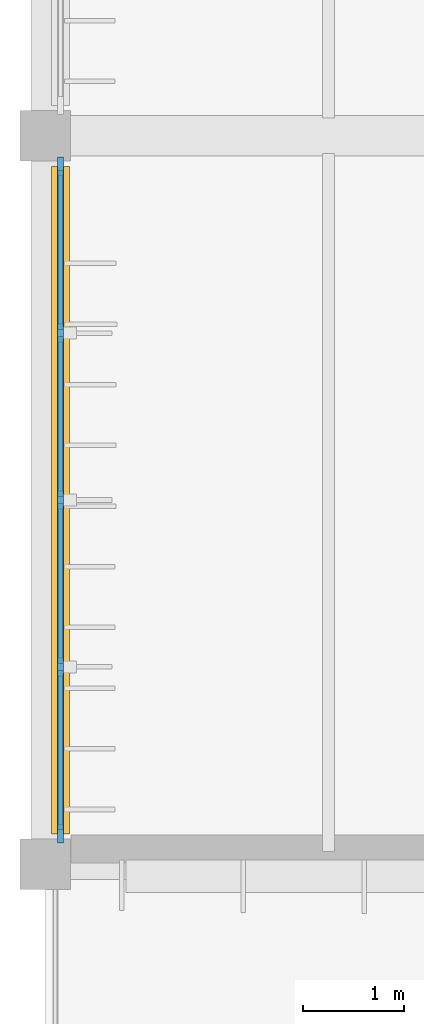
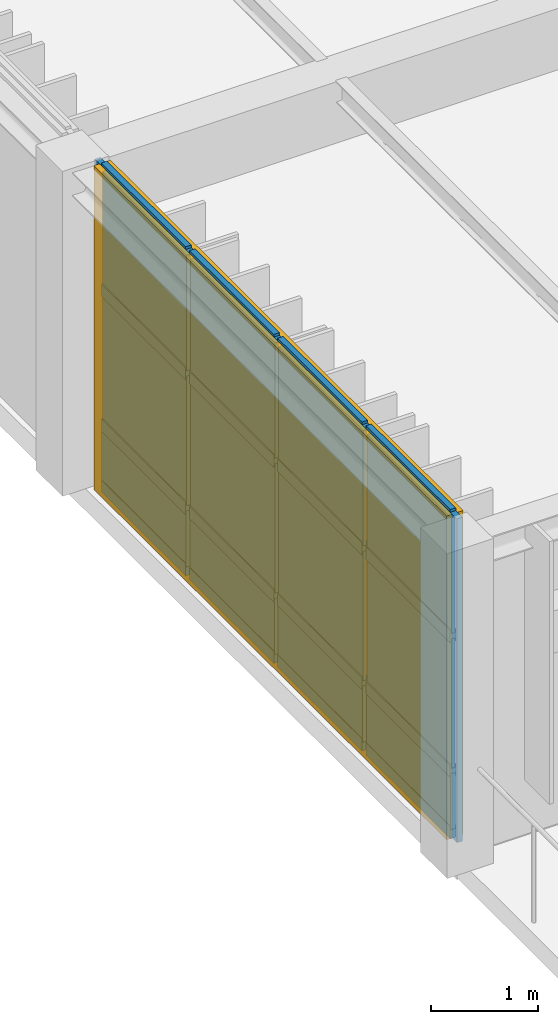
# One storey, part 29 of 44: 21 members, 12 plates, 1 curtain wall.
"""IFC4 building model written with IfcOpenShell, lengths in metres."""

from ifc_helpers import new_model, si_unit, direction, frame, frame_2d, origin, origin_2d, place, context, subcontext, project, spatial, rectangle, extrude, material, layer, layer_set, material_profile, profile_set, type_object, element, aggregate, save


model = new_model("IFC4")

# Units and contexts
model_context = context("Model", 3, precision=1e-05, world=origin(), true_north=direction((0.0, 1.0)))
body_context = subcontext(model_context, "Body", "Model", "MODEL_VIEW")
ifc_project = project(units=[si_unit("LENGTHUNIT", "METRE"), si_unit("AREAUNIT", "SQUARE_METRE"), si_unit("VOLUMEUNIT", "CUBIC_METRE"), si_unit("PLANEANGLEUNIT", "RADIAN"), si_unit("MASSUNIT", "GRAM", prefix="KILO")], contexts=[model_context])

# Member
ifc_material_1 = material(Name="Anodised Bronze Aluminium 6063-T6", Category="aluminium")
ifc_material_profile_1 = material_profile(ifc_material_1, rectangle(XDim=0.06005859375, YDim=0.179931640625, at=origin_2d()), Name="ALU MULLION 60x180")
ifc_profile_set_1 = profile_set([ifc_material_profile_1], Name="Anodised Bronze Aluminium 6063-T6")
member_type_1 = type_object("IfcMemberType", Name="Curtain-Wall Primary Mullion 60x180", PredefinedType="MULLION", material=ifc_profile_set_1)
site_placement = place(None, origin())
building_placement = place(site_placement, origin())
storey_placement = place(building_placement, frame((0.0, 0.0, 13.199951171875)))
member_1_placement = place(storey_placement, frame((2.550048828125, 52.10009765625, 0.0), z_axis=(0.0, 0.0, 1.0), x_axis=(1.0, 0.0, 0.0)))
member_1 = element("IfcMember", 1, at=member_1_placement, type_object=member_type_1, Name="Mullion CWM-01 CW-V6-W1-L03-B1-M01", PredefinedType="MULLION", context=body_context, shape_type="SweptSolid", body=[
    extrude(rectangle(XDim=0.06005859375, YDim=0.179931640625, at=origin_2d()), origin(), (0.0, 0.0, 1.0), 3.699951171875),
])

member_2_placement = place(storey_placement, frame((2.550048828125, 53.75, 0.0), z_axis=(0.0, 0.0, 1.0), x_axis=(1.0, 0.0, 0.0)))
member_2 = element("IfcMember", 2, at=member_2_placement, type_object=member_type_1, Name="Mullion CWM-01 CW-V6-W1-L03-B1-M02", PredefinedType="MULLION", context=body_context, shape_type="SweptSolid", body=[
    extrude(rectangle(XDim=0.06005859375, YDim=0.179931640625, at=origin_2d()), origin(), (0.0, 0.0, 1.0), 3.699951171875),
])

member_3_placement = place(storey_placement, frame((2.550048828125, 55.39990234375, 0.0), z_axis=(0.0, 0.0, 1.0), x_axis=(1.0, 0.0, 0.0)))
member_3 = element("IfcMember", 3, at=member_3_placement, type_object=member_type_1, Name="Mullion CWM-01 CW-V6-W1-L03-B1-M03", PredefinedType="MULLION", context=body_context, shape_type="SweptSolid", body=[
    extrude(rectangle(XDim=0.06005859375, YDim=0.179931640625, at=origin_2d()), origin(), (0.0, 0.0, 1.0), 3.699951171875),
])

member_4_placement = place(storey_placement, frame((2.550048828125, 57.050048828125, 0.0), z_axis=(0.0, 0.0, 1.0), x_axis=(1.0, 0.0, 0.0)))
member_4 = element("IfcMember", 4, at=member_4_placement, type_object=member_type_1, Name="Mullion CWM-01 CW-V6-W1-L03-B1-M04", PredefinedType="MULLION", context=body_context, shape_type="SweptSolid", body=[
    extrude(rectangle(XDim=0.06005859375, YDim=0.179931640625, at=origin_2d()), origin(), (0.0, 0.0, 1.0), 3.699951171875),
])

member_5_placement = place(storey_placement, frame((2.550048828125, 58.699951171875, 0.0), z_axis=(0.0, 0.0, 1.0), x_axis=(1.0, 0.0, 0.0)))
member_5 = element("IfcMember", 5, at=member_5_placement, type_object=member_type_1, Name="Mullion CWM-01 CW-V6-W1-L03-B1-M05", PredefinedType="MULLION", context=body_context, shape_type="SweptSolid", body=[
    extrude(rectangle(XDim=0.06005859375, YDim=0.179931640625, at=origin_2d()), origin(), (0.0, 0.0, 1.0), 3.699951171875),
])

ifc_material_profile_2 = material_profile(ifc_material_1, rectangle(XDim=0.06005859375, YDim=0.139892578125, at=origin_2d()), Name="ALU TRANSOM 60x140")
ifc_profile_set_2 = profile_set([ifc_material_profile_2], Name="Anodised Bronze Aluminium 6063-T6")
member_type_2 = type_object("IfcMemberType", Name="Curtain-Wall Transom 60x140", PredefinedType="USERDEFINED", material=ifc_profile_set_2)
member_6_placement = place(storey_placement, frame((2.550048828125, 52.135009765625, 0.0400390625), z_axis=(0.0, 1.0, 0.0), x_axis=(-1.0, 0.0, 0.0)))
member_6 = element("IfcMember", 6, at=member_6_placement, type_object=member_type_2, Name="Transom CWT-01 CW-V6-W1-L03-B1-T01.1", ObjectType="TRANSOM", PredefinedType="USERDEFINED", context=body_context, shape_type="SweptSolid", body=[
    extrude(rectangle(XDim=0.06005859375, YDim=0.139892578125, at=origin_2d()), origin(), (0.0, 0.0, 1.0), 1.580078125),
])

member_7_placement = place(storey_placement, frame((2.550048828125, 52.135009765625, 0.739990234375), z_axis=(0.0, 1.0, 0.0), x_axis=(-1.0, 0.0, 0.0)))
member_7 = element("IfcMember", 7, at=member_7_placement, type_object=member_type_2, Name="Transom CWT-01 CW-V6-W1-L03-B1-T01.2", ObjectType="TRANSOM", PredefinedType="USERDEFINED", context=body_context, shape_type="SweptSolid", body=[
    extrude(rectangle(XDim=0.06005859375, YDim=0.139892578125, at=origin_2d()), origin(), (0.0, 0.0, 1.0), 1.580078125),
])

member_8_placement = place(storey_placement, frame((2.550048828125, 52.135009765625, 2.279296875), z_axis=(0.0, 1.0, 0.0), x_axis=(-1.0, 0.0, 0.0)))
member_8 = element("IfcMember", 8, at=member_8_placement, type_object=member_type_2, Name="Transom CWT-01 CW-V6-W1-L03-B1-T01.3", ObjectType="TRANSOM", PredefinedType="USERDEFINED", context=body_context, shape_type="SweptSolid", body=[
    extrude(rectangle(XDim=0.06005859375, YDim=0.139892578125, at=origin_2d()), origin(), (0.0, 0.0, 1.0), 1.580078125),
])

member_9_placement = place(storey_placement, frame((2.550048828125, 52.135009765625, 3.66015625), z_axis=(0.0, 1.0, 0.0), x_axis=(-1.0, 0.0, 0.0)))
member_9 = element("IfcMember", 9, at=member_9_placement, type_object=member_type_2, Name="Transom CWT-01 CW-V6-W1-L03-B1-T01.4", ObjectType="TRANSOM", PredefinedType="USERDEFINED", context=body_context, shape_type="SweptSolid", body=[
    extrude(rectangle(XDim=0.06005859375, YDim=0.139892578125, at=origin_2d()), origin(), (0.0, 0.0, 1.0), 1.580078125),
])

member_10_placement = place(storey_placement, frame((2.550048828125, 53.784912109375, 0.0400390625), z_axis=(0.0, 1.0, 0.0), x_axis=(-1.0, 0.0, 0.0)))
member_10 = element("IfcMember", 10, at=member_10_placement, type_object=member_type_2, Name="Transom CWT-01 CW-V6-W1-L03-B1-T02.1", ObjectType="TRANSOM", PredefinedType="USERDEFINED", context=body_context, shape_type="SweptSolid", body=[
    extrude(rectangle(XDim=0.06005859375, YDim=0.139892578125, at=origin_2d()), origin(), (0.0, 0.0, 1.0), 1.580078125),
])

member_11_placement = place(storey_placement, frame((2.550048828125, 53.784912109375, 0.739990234375), z_axis=(0.0, 1.0, 0.0), x_axis=(-1.0, 0.0, 0.0)))
member_11 = element("IfcMember", 11, at=member_11_placement, type_object=member_type_2, Name="Transom CWT-01 CW-V6-W1-L03-B1-T02.2", ObjectType="TRANSOM", PredefinedType="USERDEFINED", context=body_context, shape_type="SweptSolid", body=[
    extrude(rectangle(XDim=0.06005859375, YDim=0.139892578125, at=origin_2d()), origin(), (0.0, 0.0, 1.0), 1.580078125),
])

member_12_placement = place(storey_placement, frame((2.550048828125, 53.784912109375, 2.279296875), z_axis=(0.0, 1.0, 0.0), x_axis=(-1.0, 0.0, 0.0)))
member_12 = element("IfcMember", 12, at=member_12_placement, type_object=member_type_2, Name="Transom CWT-01 CW-V6-W1-L03-B1-T02.3", ObjectType="TRANSOM", PredefinedType="USERDEFINED", context=body_context, shape_type="SweptSolid", body=[
    extrude(rectangle(XDim=0.06005859375, YDim=0.139892578125, at=origin_2d()), origin(), (0.0, 0.0, 1.0), 1.580078125),
])

member_13_placement = place(storey_placement, frame((2.550048828125, 53.784912109375, 3.66015625), z_axis=(0.0, 1.0, 0.0), x_axis=(-1.0, 0.0, 0.0)))
member_13 = element("IfcMember", 13, at=member_13_placement, type_object=member_type_2, Name="Transom CWT-01 CW-V6-W1-L03-B1-T02.4", ObjectType="TRANSOM", PredefinedType="USERDEFINED", context=body_context, shape_type="SweptSolid", body=[
    extrude(rectangle(XDim=0.06005859375, YDim=0.139892578125, at=origin_2d()), origin(), (0.0, 0.0, 1.0), 1.580078125),
])

member_14_placement = place(storey_placement, frame((2.550048828125, 55.43505859375, 0.0400390625), z_axis=(0.0, 1.0, 0.0), x_axis=(-1.0, 0.0, 0.0)))
member_14 = element("IfcMember", 14, at=member_14_placement, type_object=member_type_2, Name="Transom CWT-01 CW-V6-W1-L03-B1-T03.1", ObjectType="TRANSOM", PredefinedType="USERDEFINED", context=body_context, shape_type="SweptSolid", body=[
    extrude(rectangle(XDim=0.06005859375, YDim=0.139892578125, at=origin_2d()), origin(), (0.0, 0.0, 1.0), 1.579833984375),
])

member_15_placement = place(storey_placement, frame((2.550048828125, 55.43505859375, 0.739990234375), z_axis=(0.0, 1.0, 0.0), x_axis=(-1.0, 0.0, 0.0)))
member_15 = element("IfcMember", 15, at=member_15_placement, type_object=member_type_2, Name="Transom CWT-01 CW-V6-W1-L03-B1-T03.2", ObjectType="TRANSOM", PredefinedType="USERDEFINED", context=body_context, shape_type="SweptSolid", body=[
    extrude(rectangle(XDim=0.06005859375, YDim=0.139892578125, at=origin_2d()), origin(), (0.0, 0.0, 1.0), 1.579833984375),
])

member_16_placement = place(storey_placement, frame((2.550048828125, 55.43505859375, 2.279296875), z_axis=(0.0, 1.0, 0.0), x_axis=(-1.0, 0.0, 0.0)))
member_16 = element("IfcMember", 16, at=member_16_placement, type_object=member_type_2, Name="Transom CWT-01 CW-V6-W1-L03-B1-T03.3", ObjectType="TRANSOM", PredefinedType="USERDEFINED", context=body_context, shape_type="SweptSolid", body=[
    extrude(rectangle(XDim=0.06005859375, YDim=0.139892578125, at=origin_2d()), origin(), (0.0, 0.0, 1.0), 1.579833984375),
])

member_17_placement = place(storey_placement, frame((2.550048828125, 55.43505859375, 3.66015625), z_axis=(0.0, 1.0, 0.0), x_axis=(-1.0, 0.0, 0.0)))
member_17 = element("IfcMember", 17, at=member_17_placement, type_object=member_type_2, Name="Transom CWT-01 CW-V6-W1-L03-B1-T03.4", ObjectType="TRANSOM", PredefinedType="USERDEFINED", context=body_context, shape_type="SweptSolid", body=[
    extrude(rectangle(XDim=0.06005859375, YDim=0.139892578125, at=origin_2d()), origin(), (0.0, 0.0, 1.0), 1.579833984375),
])

member_18_placement = place(storey_placement, frame((2.550048828125, 57.0849609375, 0.0400390625), z_axis=(0.0, 1.0, 0.0), x_axis=(-1.0, 0.0, 0.0)))
member_18 = element("IfcMember", 18, at=member_18_placement, type_object=member_type_2, Name="Transom CWT-01 CW-V6-W1-L03-B1-T04.1", ObjectType="TRANSOM", PredefinedType="USERDEFINED", context=body_context, shape_type="SweptSolid", body=[
    extrude(rectangle(XDim=0.06005859375, YDim=0.139892578125, at=origin_2d()), origin(), (0.0, 0.0, 1.0), 1.580078125),
])

member_19_placement = place(storey_placement, frame((2.550048828125, 57.0849609375, 0.739990234375), z_axis=(0.0, 1.0, 0.0), x_axis=(-1.0, 0.0, 0.0)))
member_19 = element("IfcMember", 19, at=member_19_placement, type_object=member_type_2, Name="Transom CWT-01 CW-V6-W1-L03-B1-T04.2", ObjectType="TRANSOM", PredefinedType="USERDEFINED", context=body_context, shape_type="SweptSolid", body=[
    extrude(rectangle(XDim=0.06005859375, YDim=0.139892578125, at=origin_2d()), origin(), (0.0, 0.0, 1.0), 1.580078125),
])

member_20_placement = place(storey_placement, frame((2.550048828125, 57.0849609375, 2.279296875), z_axis=(0.0, 1.0, 0.0), x_axis=(-1.0, 0.0, 0.0)))
member_20 = element("IfcMember", 20, at=member_20_placement, type_object=member_type_2, Name="Transom CWT-01 CW-V6-W1-L03-B1-T04.3", ObjectType="TRANSOM", PredefinedType="USERDEFINED", context=body_context, shape_type="SweptSolid", body=[
    extrude(rectangle(XDim=0.06005859375, YDim=0.139892578125, at=origin_2d()), origin(), (0.0, 0.0, 1.0), 1.580078125),
])

member_21_placement = place(storey_placement, frame((2.550048828125, 57.0849609375, 3.66015625), z_axis=(0.0, 1.0, 0.0), x_axis=(-1.0, 0.0, 0.0)))
member_21 = element("IfcMember", 21, at=member_21_placement, type_object=member_type_2, Name="Transom CWT-01 CW-V6-W1-L03-B1-T04.4", ObjectType="TRANSOM", PredefinedType="USERDEFINED", context=body_context, shape_type="SweptSolid", body=[
    extrude(rectangle(XDim=0.06005859375, YDim=0.139892578125, at=origin_2d()), origin(), (0.0, 0.0, 1.0), 1.580078125),
])

# Plate
ifc_material_2 = material(Name="Insulated Bronze Aluminium Spandrel Panel", Category="aluminium")
ifc_layer_1 = layer(ifc_material_2, 0.050048828125, Name="Insulated Bronze Aluminium Spandrel Panel")
ifc_layer_set_1 = layer_set([ifc_layer_1], Name="Insulated Bronze Aluminium Spandrel Panel")
plate_type_1 = type_object("IfcPlateType", Name="Insulated Anodised Aluminium Spandrel Cassette 50", PredefinedType="CURTAIN_PANEL", material=ifc_layer_set_1)
plate_1_placement = place(storey_placement, frame((2.550048828125, 52.925048828125, 0.0703125), z_axis=(0.0, 0.0, 1.0), x_axis=(0.0, 1.0, 0.0)))
plate_1 = element("IfcPlate", 22, at=plate_1_placement, type_object=plate_type_1, Name="Curtain Panel CWP-03 CW-V6-W1-L03-B1-P01.1", PredefinedType="CURTAIN_PANEL", context=body_context, shape_type="SweptSolid", body=[
    extrude(rectangle(XDim=1.580078125, YDim=0.050048828125, at=origin_2d()), origin(), (0.0, 0.0, 1.0), 0.639892578125),
])

plate_2_placement = place(storey_placement, frame((2.550048828125, 54.574951171875, 0.0703125), z_axis=(0.0, 0.0, 1.0), x_axis=(0.0, 1.0, 0.0)))
plate_2 = element("IfcPlate", 23, at=plate_2_placement, type_object=plate_type_1, Name="Curtain Panel CWP-03 CW-V6-W1-L03-B1-P02.1", PredefinedType="CURTAIN_PANEL", context=body_context, shape_type="SweptSolid", body=[
    extrude(rectangle(XDim=1.580078125, YDim=0.050048828125, at=origin_2d()), origin(), (0.0, 0.0, 1.0), 0.639892578125),
])

plate_3_placement = place(storey_placement, frame((2.550048828125, 56.22509765625, 0.0703125), z_axis=(0.0, 0.0, 1.0), x_axis=(0.0, 1.0, 0.0)))
plate_3 = element("IfcPlate", 24, at=plate_3_placement, type_object=plate_type_1, Name="Curtain Panel CWP-03 CW-V6-W1-L03-B1-P03.1", PredefinedType="CURTAIN_PANEL", context=body_context, shape_type="SweptSolid", body=[
    extrude(rectangle(XDim=1.580078125, YDim=0.050048828125, at=origin_2d()), origin(), (0.0, 0.0, 1.0), 0.639892578125),
])

plate_4_placement = place(storey_placement, frame((2.550048828125, 57.875, 0.0703125), z_axis=(0.0, 0.0, 1.0), x_axis=(0.0, 1.0, 0.0)))
plate_4 = element("IfcPlate", 25, at=plate_4_placement, type_object=plate_type_1, Name="Curtain Panel CWP-03 CW-V6-W1-L03-B1-P04.1", PredefinedType="CURTAIN_PANEL", context=body_context, shape_type="SweptSolid", body=[
    extrude(rectangle(XDim=1.580078125, YDim=0.050048828125, at=origin_2d()), origin(), (0.0, 0.0, 1.0), 0.639892578125),
])

ifc_material_3 = material(Name="Solar-Control Tempered Double Glazing", Category="glass")
ifc_layer_2 = layer(ifc_material_3, 0.0380859375, Name="Solar-Control Tempered Double Glazing")
ifc_layer_set_2 = layer_set([ifc_layer_2], Name="Solar-Control Tempered Double Glazing")
plate_type_2 = type_object("IfcPlateType", Name="Solar-Control Vision Glazing Unit 38", PredefinedType="CURTAIN_PANEL", material=ifc_layer_set_2)
plate_5_placement = place(storey_placement, frame((2.550048828125, 52.925048828125, 0.77001953125), z_axis=(0.0, 0.0, 1.0), x_axis=(0.0, 1.0, 0.0)))
plate_5 = element("IfcPlate", 26, at=plate_5_placement, type_object=plate_type_2, Name="Curtain Panel CWP-02 CW-V6-W1-L03-B1-P01.2", PredefinedType="CURTAIN_PANEL", context=body_context, shape_type="SweptSolid", body=[
    extrude(rectangle(XDim=1.580078125, YDim=0.0380859375, at=origin_2d()), origin(), (0.0, 0.0, 1.0), 1.479248046875),
])

plate_6_placement = place(storey_placement, frame((2.550048828125, 52.925048828125, 2.309326171875), z_axis=(0.0, 0.0, 1.0), x_axis=(0.0, 1.0, 0.0)))
plate_6 = element("IfcPlate", 27, at=plate_6_placement, type_object=plate_type_2, Name="Curtain Panel CWP-02 CW-V6-W1-L03-B1-P01.3", PredefinedType="CURTAIN_PANEL", context=body_context, shape_type="SweptSolid", body=[
    extrude(rectangle(XDim=1.580078125, YDim=0.0380859375, at=origin_2d()), origin(), (0.0, 0.0, 1.0), 1.32080078125),
])

plate_7_placement = place(storey_placement, frame((2.550048828125, 54.574951171875, 0.77001953125), z_axis=(0.0, 0.0, 1.0), x_axis=(0.0, 1.0, 0.0)))
plate_7 = element("IfcPlate", 28, at=plate_7_placement, type_object=plate_type_2, Name="Curtain Panel CWP-02 CW-V6-W1-L03-B1-P02.2", PredefinedType="CURTAIN_PANEL", context=body_context, shape_type="SweptSolid", body=[
    extrude(rectangle(XDim=1.580078125, YDim=0.0380859375, at=origin_2d()), origin(), (0.0, 0.0, 1.0), 1.479248046875),
])

plate_8_placement = place(storey_placement, frame((2.550048828125, 54.574951171875, 2.309326171875), z_axis=(0.0, 0.0, 1.0), x_axis=(0.0, 1.0, 0.0)))
plate_8 = element("IfcPlate", 29, at=plate_8_placement, type_object=plate_type_2, Name="Curtain Panel CWP-02 CW-V6-W1-L03-B1-P02.3", PredefinedType="CURTAIN_PANEL", context=body_context, shape_type="SweptSolid", body=[
    extrude(rectangle(XDim=1.580078125, YDim=0.0380859375, at=origin_2d()), origin(), (0.0, 0.0, 1.0), 1.32080078125),
])

plate_9_placement = place(storey_placement, frame((2.550048828125, 56.22509765625, 0.77001953125), z_axis=(0.0, 0.0, 1.0), x_axis=(0.0, 1.0, 0.0)))
plate_9 = element("IfcPlate", 30, at=plate_9_placement, type_object=plate_type_2, Name="Curtain Panel CWP-02 CW-V6-W1-L03-B1-P03.2", PredefinedType="CURTAIN_PANEL", context=body_context, shape_type="SweptSolid", body=[
    extrude(rectangle(XDim=1.580078125, YDim=0.0380859375, at=origin_2d()), origin(), (0.0, 0.0, 1.0), 1.479248046875),
])

plate_10_placement = place(storey_placement, frame((2.550048828125, 56.22509765625, 2.309326171875), z_axis=(0.0, 0.0, 1.0), x_axis=(0.0, 1.0, 0.0)))
plate_10 = element("IfcPlate", 31, at=plate_10_placement, type_object=plate_type_2, Name="Curtain Panel CWP-02 CW-V6-W1-L03-B1-P03.3", PredefinedType="CURTAIN_PANEL", context=body_context, shape_type="SweptSolid", body=[
    extrude(rectangle(XDim=1.580078125, YDim=0.0380859375, at=origin_2d()), origin(), (0.0, 0.0, 1.0), 1.32080078125),
])

plate_11_placement = place(storey_placement, frame((2.550048828125, 57.875, 0.77001953125), z_axis=(0.0, 0.0, 1.0), x_axis=(0.0, 1.0, 0.0)))
plate_11 = element("IfcPlate", 32, at=plate_11_placement, type_object=plate_type_2, Name="Curtain Panel CWP-02 CW-V6-W1-L03-B1-P04.2", PredefinedType="CURTAIN_PANEL", context=body_context, shape_type="SweptSolid", body=[
    extrude(rectangle(XDim=1.580078125, YDim=0.0380859375, at=origin_2d()), origin(), (0.0, 0.0, 1.0), 1.479248046875),
])

plate_12_placement = place(storey_placement, frame((2.550048828125, 57.875, 2.309326171875), z_axis=(0.0, 0.0, 1.0), x_axis=(0.0, 1.0, 0.0)))
plate_12 = element("IfcPlate", 33, at=plate_12_placement, type_object=plate_type_2, Name="Curtain Panel CWP-02 CW-V6-W1-L03-B1-P04.3", PredefinedType="CURTAIN_PANEL", context=body_context, shape_type="SweptSolid", body=[
    extrude(rectangle(XDim=1.580078125, YDim=0.0380859375, at=origin_2d()), origin(), (0.0, 0.0, 1.0), 1.32080078125),
])

# Site, building, storey
site = spatial("IfcSite", under=ifc_project, at=site_placement, CompositionType="ELEMENT")
building = spatial("IfcBuilding", under=site, at=building_placement, Name="Tazoul Stagehouse", CompositionType="ELEMENT")
storey = spatial("IfcBuildingStorey", under=building, at=storey_placement, Name="L03", CompositionType="ELEMENT", Elevation=13.199951171875)

# Curtain wall
curtain_wall_type = type_object("IfcCurtainWallType", Name="Foyer Clear Solar-Control Curtain Wall", PredefinedType="NOTDEFINED", material=ifc_material_1)
curtain_wall_placement = place(storey_placement, frame((2.550048828125, 52.10009765625, 0.0), z_axis=(0.0, 0.0, 1.0), x_axis=(0.0, 1.0, 0.0)))
curtain_wall = element("IfcCurtainWall", 34, at=curtain_wall_placement, inside=storey, type_object=curtain_wall_type, Name="L03 Curtain Wall CW-02 (CW-V6-W1-L03-B1)", PredefinedType="NOTDEFINED", context=body_context, shape_type="SweptSolid", body=[
    extrude(rectangle(XDim=6.599853515625, YDim=0.179931640625, at=frame_2d((3.2998046875, 0.0))), origin(), (0.0, 0.0, 1.0), 3.699951171875),
])

aggregate(curtain_wall, [member_1, member_2, member_3, member_4, member_5, member_6, member_7, member_8, member_9, plate_1, plate_5, plate_6, member_10, member_11, member_12, member_13, plate_2, plate_7, plate_8, member_14, member_15, member_16, member_17, plate_3, plate_9, plate_10, member_18, member_19, member_20, member_21, plate_4, plate_11, plate_12])

save(model, "model.ifc")
